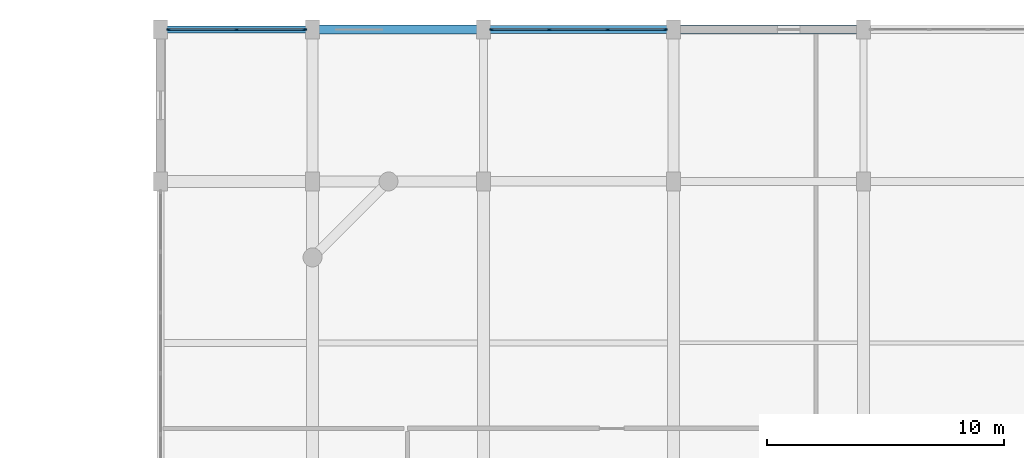
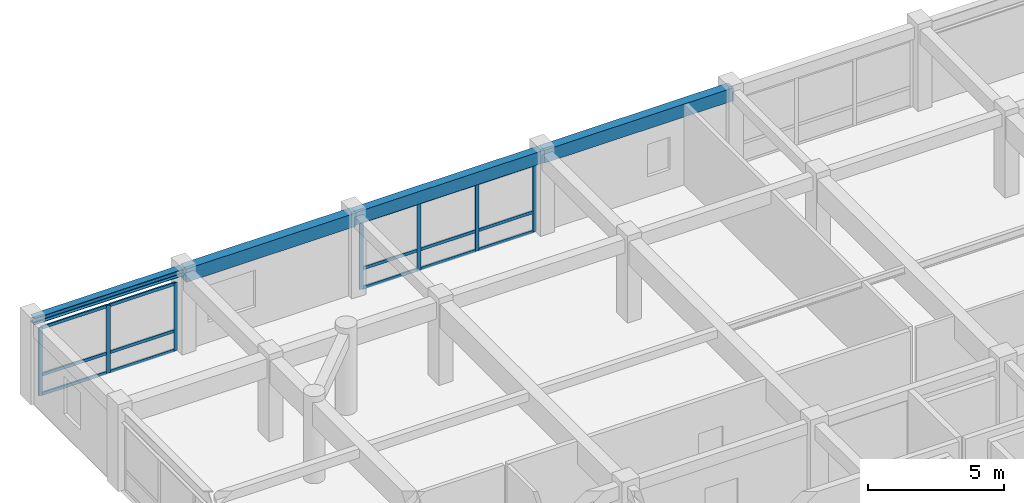
# One storey, part 7 of 14: 22 members, 4 beams, 2 elements without a shape of their own.
"""IFC4 building model written with IfcOpenShell, lengths in metres."""

from ifc_helpers import new_model, si_unit, direction, frame, origin, origin_2d, place, context, subcontext, project, spatial, rectangle, i_section, extrude, material, material_profile, profile_set, type_object, element, aggregate, save


model = new_model("IFC4")

# Units and contexts
model_context = context("Model", 3, precision=1e-05, world=origin(), true_north=direction((0.0, 1.0)))
body_context = subcontext(model_context, "Body", "Model", "MODEL_VIEW")
ifc_project = project(units=[si_unit("LENGTHUNIT", "METRE"), si_unit("AREAUNIT", "SQUARE_METRE"), si_unit("VOLUMEUNIT", "CUBIC_METRE"), si_unit("PLANEANGLEUNIT", "RADIAN"), si_unit("MASSUNIT", "GRAM", prefix="KILO")], contexts=[model_context])

# Site, building, storey
site_placement = place(None, origin())
site = spatial("IfcSite", under=ifc_project, at=site_placement, CompositionType="ELEMENT")
building_placement = place(site_placement, origin())
building = spatial("IfcBuilding", under=site, at=building_placement, Name="Vellmiral Cinema and Media Centre", CompositionType="ELEMENT")
storey_placement = place(building_placement, frame((0.0, 0.0, 27.800048828125)))
storey = spatial("IfcBuildingStorey", under=building, at=storey_placement, Name="L06", CompositionType="ELEMENT", Elevation=27.800048828125)

# Curtain wall, members
ifc_material_1 = material(Name="Thermally Broken Aluminium and Triple Glazing", Category="aluminium")
curtain_wall_type = type_object("IfcCurtainWallType", Name="CW-TOWER-LOW-S", PredefinedType="USERDEFINED", material=ifc_material_1)
curtain_wall_1_placement = place(storey_placement, origin())
curtain_wall_1 = element("IfcCurtainWall", 1, at=curtain_wall_1_placement, inside=storey, type_object=curtain_wall_type, Name="Curtain Wall L06-B021", ObjectType="UNITISED CURTAIN WALL", PredefinedType="USERDEFINED")
ifc_material_2 = material(Name="Thermally Broken Anodised Aluminium", Category="aluminium")
ifc_material_profile_1 = material_profile(ifc_material_2, rectangle(XDim=0.06494140625, YDim=0.159912109375, at=origin_2d()), Name="MULL 65x160")
ifc_profile_set_1 = profile_set([ifc_material_profile_1], Name="Thermally Broken Anodised Aluminium")
member_type_1 = type_object("IfcMemberType", Name="CWM-65x160", PredefinedType="MULLION", material=ifc_profile_set_1)
member_1_placement = place(storey_placement, frame((131.66748046875, 115.199951171875, 0.0), z_axis=(0.0, 0.0, 1.0), x_axis=(0.0, -1.0, 0.0)))
member_1 = element("IfcMember", 2, at=member_1_placement, type_object=member_type_1, Name="CW-06 mullion 1", PredefinedType="MULLION", context=body_context, shape_type="SweptSolid", body=[
    extrude(rectangle(XDim=0.06494140625, YDim=0.159912109375, at=origin_2d()), origin(), (0.0, 0.0, 1.0), 3.0400390625),
])
member_2_placement = place(storey_placement, frame((129.2333984375, 115.199951171875, 0.0), z_axis=(0.0, 0.0, 1.0), x_axis=(0.0, -1.0, 0.0)))
member_2 = element("IfcMember", 3, at=member_2_placement, type_object=member_type_1, Name="CW-06 mullion 2", PredefinedType="MULLION", context=body_context, shape_type="SweptSolid", body=[
    extrude(rectangle(XDim=0.06494140625, YDim=0.159912109375, at=origin_2d()), origin(), (0.0, 0.0, 1.0), 3.0400390625),
])
member_3_placement = place(storey_placement, frame((126.7666015625, 115.199951171875, 0.0), z_axis=(0.0, 0.0, 1.0), x_axis=(0.0, -1.0, 0.0)))
member_3 = element("IfcMember", 4, at=member_3_placement, type_object=member_type_1, Name="CW-06 mullion 3", PredefinedType="MULLION", context=body_context, shape_type="SweptSolid", body=[
    extrude(rectangle(XDim=0.06494140625, YDim=0.159912109375, at=origin_2d()), origin(), (0.0, 0.0, 1.0), 3.0400390625),
])
member_4_placement = place(storey_placement, frame((124.33251953125, 115.199951171875, 0.0), z_axis=(0.0, 0.0, 1.0), x_axis=(0.0, -1.0, 0.0)))
member_4 = element("IfcMember", 5, at=member_4_placement, type_object=member_type_1, Name="CW-06 mullion 4", PredefinedType="MULLION", context=body_context, shape_type="SweptSolid", body=[
    extrude(rectangle(XDim=0.06494140625, YDim=0.159912109375, at=origin_2d()), origin(), (0.0, 0.0, 1.0), 3.0400390625),
])

curtain_wall_2_placement = place(storey_placement, origin())
curtain_wall_2 = element("IfcCurtainWall", 6, at=curtain_wall_2_placement, inside=storey, type_object=curtain_wall_type, Name="Curtain Wall L06-B023", ObjectType="UNITISED CURTAIN WALL", PredefinedType="USERDEFINED")
member_5_placement = place(storey_placement, frame((116.467529296875, 115.199951171875, 0.0), z_axis=(0.0, 0.0, 1.0), x_axis=(0.0, -1.0, 0.0)))
member_5 = element("IfcMember", 7, at=member_5_placement, type_object=member_type_1, Name="CW-06 mullion 1", PredefinedType="MULLION", context=body_context, shape_type="SweptSolid", body=[
    extrude(rectangle(XDim=0.06494140625, YDim=0.159912109375, at=origin_2d()), origin(), (0.0, 0.0, 1.0), 3.0400390625),
])
member_6_placement = place(storey_placement, frame((113.60009765625, 115.199951171875, 0.0), z_axis=(0.0, 0.0, 1.0), x_axis=(0.0, -1.0, 0.0)))
member_6 = element("IfcMember", 8, at=member_6_placement, type_object=member_type_1, Name="CW-06 mullion 2", PredefinedType="MULLION", context=body_context, shape_type="SweptSolid", body=[
    extrude(rectangle(XDim=0.06494140625, YDim=0.159912109375, at=origin_2d()), origin(), (0.0, 0.0, 1.0), 3.0400390625),
])
member_7_placement = place(storey_placement, frame((110.732421875, 115.199951171875, 0.0), z_axis=(0.0, 0.0, 1.0), x_axis=(0.0, -1.0, 0.0)))
member_7 = element("IfcMember", 9, at=member_7_placement, type_object=member_type_1, Name="CW-06 mullion 3", PredefinedType="MULLION", context=body_context, shape_type="SweptSolid", body=[
    extrude(rectangle(XDim=0.06494140625, YDim=0.159912109375, at=origin_2d()), origin(), (0.0, 0.0, 1.0), 3.0400390625),
])

# Member
ifc_material_3 = material(Name="Thermally Broken Anodised Aluminium", Category="aluminium")
ifc_material_profile_2 = material_profile(ifc_material_3, rectangle(XDim=0.06494140625, YDim=0.135009765625, at=origin_2d()), Name="MULL 65x135")
ifc_profile_set_2 = profile_set([ifc_material_profile_2], Name="Thermally Broken Anodised Aluminium")
member_type_2 = type_object("IfcMemberType", Name="CWT-65x135", PredefinedType="USERDEFINED", material=ifc_profile_set_2)
member_8_placement = place(storey_placement, frame((131.635009765625, 115.199951171875, 0.032470703125), z_axis=(-1.0, 0.0, 0.0), x_axis=(0.0, -1.0, 0.0)))
member_8 = element("IfcMember", 10, at=member_8_placement, type_object=member_type_2, Name="CW-06 transom 1.1", ObjectType="TRANSOM", PredefinedType="USERDEFINED", context=body_context, shape_type="SweptSolid", body=[
    extrude(rectangle(XDim=0.06494140625, YDim=0.135009765625, at=origin_2d()), origin(), (0.0, 0.0, 1.0), 2.369140625),
])

member_9_placement = place(storey_placement, frame((131.635009765625, 115.199951171875, 0.89990234375), z_axis=(-1.0, 0.0, 0.0), x_axis=(0.0, -1.0, 0.0)))
member_9 = element("IfcMember", 11, at=member_9_placement, type_object=member_type_2, Name="CW-06 transom 1.2", ObjectType="TRANSOM", PredefinedType="USERDEFINED", context=body_context, shape_type="SweptSolid", body=[
    extrude(rectangle(XDim=0.06494140625, YDim=0.135009765625, at=origin_2d()), origin(), (0.0, 0.0, 1.0), 2.369140625),
])

member_10_placement = place(storey_placement, frame((131.635009765625, 115.199951171875, 3.007568359375), z_axis=(-1.0, 0.0, 0.0), x_axis=(0.0, -1.0, 0.0)))
member_10 = element("IfcMember", 12, at=member_10_placement, type_object=member_type_2, Name="CW-06 transom 1.3", ObjectType="TRANSOM", PredefinedType="USERDEFINED", context=body_context, shape_type="SweptSolid", body=[
    extrude(rectangle(XDim=0.06494140625, YDim=0.135009765625, at=origin_2d()), origin(), (0.0, 0.0, 1.0), 2.369140625),
])

member_11_placement = place(storey_placement, frame((129.200927734375, 115.199951171875, 0.032470703125), z_axis=(-1.0, 0.0, 0.0), x_axis=(0.0, -1.0, 0.0)))
member_11 = element("IfcMember", 13, at=member_11_placement, type_object=member_type_2, Name="CW-06 transom 2.1", ObjectType="TRANSOM", PredefinedType="USERDEFINED", context=body_context, shape_type="SweptSolid", body=[
    extrude(rectangle(XDim=0.06494140625, YDim=0.135009765625, at=origin_2d()), origin(), (0.0, 0.0, 1.0), 2.40185546875),
])

member_12_placement = place(storey_placement, frame((129.200927734375, 115.199951171875, 0.89990234375), z_axis=(-1.0, 0.0, 0.0), x_axis=(0.0, -1.0, 0.0)))
member_12 = element("IfcMember", 14, at=member_12_placement, type_object=member_type_2, Name="CW-06 transom 2.2", ObjectType="TRANSOM", PredefinedType="USERDEFINED", context=body_context, shape_type="SweptSolid", body=[
    extrude(rectangle(XDim=0.06494140625, YDim=0.135009765625, at=origin_2d()), origin(), (0.0, 0.0, 1.0), 2.40185546875),
])

member_13_placement = place(storey_placement, frame((129.200927734375, 115.199951171875, 3.007568359375), z_axis=(-1.0, 0.0, 0.0), x_axis=(0.0, -1.0, 0.0)))
member_13 = element("IfcMember", 15, at=member_13_placement, type_object=member_type_2, Name="CW-06 transom 2.3", ObjectType="TRANSOM", PredefinedType="USERDEFINED", context=body_context, shape_type="SweptSolid", body=[
    extrude(rectangle(XDim=0.06494140625, YDim=0.135009765625, at=origin_2d()), origin(), (0.0, 0.0, 1.0), 2.40185546875),
])

member_14_placement = place(storey_placement, frame((126.734130859375, 115.199951171875, 0.032470703125), z_axis=(-1.0, 0.0, 0.0), x_axis=(0.0, -1.0, 0.0)))
member_14 = element("IfcMember", 16, at=member_14_placement, type_object=member_type_2, Name="CW-06 transom 3.1", ObjectType="TRANSOM", PredefinedType="USERDEFINED", context=body_context, shape_type="SweptSolid", body=[
    extrude(rectangle(XDim=0.06494140625, YDim=0.135009765625, at=origin_2d()), origin(), (0.0, 0.0, 1.0), 2.369140625),
])

member_15_placement = place(storey_placement, frame((126.734130859375, 115.199951171875, 0.89990234375), z_axis=(-1.0, 0.0, 0.0), x_axis=(0.0, -1.0, 0.0)))
member_15 = element("IfcMember", 17, at=member_15_placement, type_object=member_type_2, Name="CW-06 transom 3.2", ObjectType="TRANSOM", PredefinedType="USERDEFINED", context=body_context, shape_type="SweptSolid", body=[
    extrude(rectangle(XDim=0.06494140625, YDim=0.135009765625, at=origin_2d()), origin(), (0.0, 0.0, 1.0), 2.369140625),
])

member_16_placement = place(storey_placement, frame((126.734130859375, 115.199951171875, 3.007568359375), z_axis=(-1.0, 0.0, 0.0), x_axis=(0.0, -1.0, 0.0)))
member_16 = element("IfcMember", 18, at=member_16_placement, type_object=member_type_2, Name="CW-06 transom 3.3", ObjectType="TRANSOM", PredefinedType="USERDEFINED", context=body_context, shape_type="SweptSolid", body=[
    extrude(rectangle(XDim=0.06494140625, YDim=0.135009765625, at=origin_2d()), origin(), (0.0, 0.0, 1.0), 2.369140625),
])

aggregate(curtain_wall_1, [member_1, member_2, member_3, member_4, member_8, member_9, member_10, member_11, member_12, member_13, member_14, member_15, member_16])

member_17_placement = place(storey_placement, frame((116.43505859375, 115.199951171875, 0.032470703125), z_axis=(-1.0, 0.0, 0.0), x_axis=(0.0, -1.0, 0.0)))
member_17 = element("IfcMember", 19, at=member_17_placement, type_object=member_type_2, Name="CW-06 transom 1.1", ObjectType="TRANSOM", PredefinedType="USERDEFINED", context=body_context, shape_type="SweptSolid", body=[
    extrude(rectangle(XDim=0.06494140625, YDim=0.135009765625, at=origin_2d()), origin(), (0.0, 0.0, 1.0), 2.802490234375),
])

member_18_placement = place(storey_placement, frame((116.43505859375, 115.199951171875, 0.89990234375), z_axis=(-1.0, 0.0, 0.0), x_axis=(0.0, -1.0, 0.0)))
member_18 = element("IfcMember", 20, at=member_18_placement, type_object=member_type_2, Name="CW-06 transom 1.2", ObjectType="TRANSOM", PredefinedType="USERDEFINED", context=body_context, shape_type="SweptSolid", body=[
    extrude(rectangle(XDim=0.06494140625, YDim=0.135009765625, at=origin_2d()), origin(), (0.0, 0.0, 1.0), 2.802490234375),
])

member_19_placement = place(storey_placement, frame((116.43505859375, 115.199951171875, 3.007568359375), z_axis=(-1.0, 0.0, 0.0), x_axis=(0.0, -1.0, 0.0)))
member_19 = element("IfcMember", 21, at=member_19_placement, type_object=member_type_2, Name="CW-06 transom 1.3", ObjectType="TRANSOM", PredefinedType="USERDEFINED", context=body_context, shape_type="SweptSolid", body=[
    extrude(rectangle(XDim=0.06494140625, YDim=0.135009765625, at=origin_2d()), origin(), (0.0, 0.0, 1.0), 2.802490234375),
])

member_20_placement = place(storey_placement, frame((113.5673828125, 115.199951171875, 0.032470703125), z_axis=(-1.0, 0.0, 0.0), x_axis=(0.0, -1.0, 0.0)))
member_20 = element("IfcMember", 22, at=member_20_placement, type_object=member_type_2, Name="CW-06 transom 2.1", ObjectType="TRANSOM", PredefinedType="USERDEFINED", context=body_context, shape_type="SweptSolid", body=[
    extrude(rectangle(XDim=0.06494140625, YDim=0.135009765625, at=origin_2d()), origin(), (0.0, 0.0, 1.0), 2.802490234375),
])

member_21_placement = place(storey_placement, frame((113.5673828125, 115.199951171875, 0.89990234375), z_axis=(-1.0, 0.0, 0.0), x_axis=(0.0, -1.0, 0.0)))
member_21 = element("IfcMember", 23, at=member_21_placement, type_object=member_type_2, Name="CW-06 transom 2.2", ObjectType="TRANSOM", PredefinedType="USERDEFINED", context=body_context, shape_type="SweptSolid", body=[
    extrude(rectangle(XDim=0.06494140625, YDim=0.135009765625, at=origin_2d()), origin(), (0.0, 0.0, 1.0), 2.802490234375),
])

member_22_placement = place(storey_placement, frame((113.5673828125, 115.199951171875, 3.007568359375), z_axis=(-1.0, 0.0, 0.0), x_axis=(0.0, -1.0, 0.0)))
member_22 = element("IfcMember", 24, at=member_22_placement, type_object=member_type_2, Name="CW-06 transom 2.3", ObjectType="TRANSOM", PredefinedType="USERDEFINED", context=body_context, shape_type="SweptSolid", body=[
    extrude(rectangle(XDim=0.06494140625, YDim=0.135009765625, at=origin_2d()), origin(), (0.0, 0.0, 1.0), 2.802490234375),
])

aggregate(curtain_wall_2, [member_5, member_6, member_7, member_17, member_18, member_19, member_20, member_21, member_22])

# Beams
ifc_material_4 = material(Name="Steel S355", Category="steel")
ifc_material_profile_3 = material_profile(ifc_material_4, i_section(OverallWidth=0.300048828125, OverallDepth=0.300048828125, WebThickness=0.010986328125, FlangeThickness=0.01904296875, FilletRadius=0.027099609375, at=origin_2d()), Name="HEB 300")
ifc_profile_set_3 = profile_set([ifc_material_profile_3], Name="Steel S355")
beam_type_1 = type_object("IfcBeamType", Name="SBM-HEB300", PredefinedType="SPANDREL", material=ifc_profile_set_3)
beam_1_placement = place(storey_placement, frame((110.39990234375, 115.199951171875, 3.48486328125), z_axis=(1.0, 0.0, 0.0), x_axis=(0.0, 1.0, 0.0)))
element("IfcBeam", 25, at=beam_1_placement, inside=storey, type_object=beam_type_1, Name="Grid Beam L06-X043", PredefinedType="SPANDREL", context=body_context, shape_type="SweptSolid", body=[
    extrude(i_section(OverallWidth=0.300048828125, OverallDepth=0.300048828125, WebThickness=0.010986328125, FlangeThickness=0.01904296875, FilletRadius=0.027099609375, at=origin_2d()), origin(), (0.0, 0.0, 1.0), 6.400146484375),
])
ifc_material_5 = material(Name="Concrete C40/50", Category="concrete")
ifc_material_profile_4 = material_profile(ifc_material_5, rectangle(XDim=0.35009765625, YDim=0.56005859375, at=origin_2d()), Name="RC 350x560")
ifc_profile_set_4 = profile_set([ifc_material_profile_4], Name="Concrete C40/50")
beam_type_2 = type_object("IfcBeamType", Name="SPD-RC-350x560", PredefinedType="SPANDREL", material=ifc_profile_set_4)
beam_2_placement = place(storey_placement, frame((124.0, 115.199951171875, 3.35498046875), z_axis=(1.0, 0.0, 0.0), x_axis=(0.0, 1.0, 0.0)))
element("IfcBeam", 26, at=beam_2_placement, inside=storey, type_object=beam_type_2, Name="Grid Beam L06-X045", PredefinedType="SPANDREL", context=body_context, shape_type="SweptSolid", body=[
    extrude(rectangle(XDim=0.35009765625, YDim=0.56005859375, at=origin_2d()), origin(), (0.0, 0.0, 1.0), 8.0),
])
ifc_material_6 = material(Name="Concrete C40/50", Category="concrete")
ifc_material_profile_5 = material_profile(ifc_material_6, rectangle(XDim=0.39990234375, YDim=0.60009765625, at=origin_2d()), Name="RC 400x600")
ifc_profile_set_5 = profile_set([ifc_material_profile_5], Name="Concrete C40/50")
beam_type_3 = type_object("IfcBeamType", Name="SPD-RC-400x600", PredefinedType="SPANDREL", material=ifc_profile_set_5)
beam_3_placement = place(storey_placement, frame((116.800048828125, 115.199951171875, 3.3349609375), z_axis=(1.0, 0.0, 0.0), x_axis=(0.0, 1.0, 0.0)))
element("IfcBeam", 27, at=beam_3_placement, inside=storey, type_object=beam_type_3, Name="Grid Beam L06-X044", PredefinedType="SPANDREL", context=body_context, shape_type="SweptSolid", body=[
    extrude(rectangle(XDim=0.39990234375, YDim=0.60009765625, at=origin_2d()), origin(), (0.0, 0.0, 1.0), 7.199951171875),
])
ifc_material_7 = material(Name="Vosges Red Sandstone Masonry", Category="masonry")
ifc_material_profile_6 = material_profile(ifc_material_7, rectangle(XDim=0.3798828125, YDim=0.580078125, at=origin_2d()), Name="SAND 380x580")
ifc_profile_set_6 = profile_set([ifc_material_profile_6], Name="Vosges Red Sandstone Masonry")
beam_type_4 = type_object("IfcBeamType", Name="SPD-SAND-380x580", PredefinedType="SPANDREL", material=ifc_profile_set_6)
beam_4_placement = place(storey_placement, frame((132.0, 115.199951171875, 3.344970703125), z_axis=(1.0, 0.0, 0.0), x_axis=(0.0, 1.0, 0.0)))
element("IfcBeam", 28, at=beam_4_placement, inside=storey, type_object=beam_type_4, Name="Grid Beam L06-X046", PredefinedType="SPANDREL", context=body_context, shape_type="SweptSolid", body=[
    extrude(rectangle(XDim=0.3798828125, YDim=0.580078125, at=origin_2d()), origin(), (0.0, 0.0, 1.0), 8.0),
])

save(model, "model.ifc")
